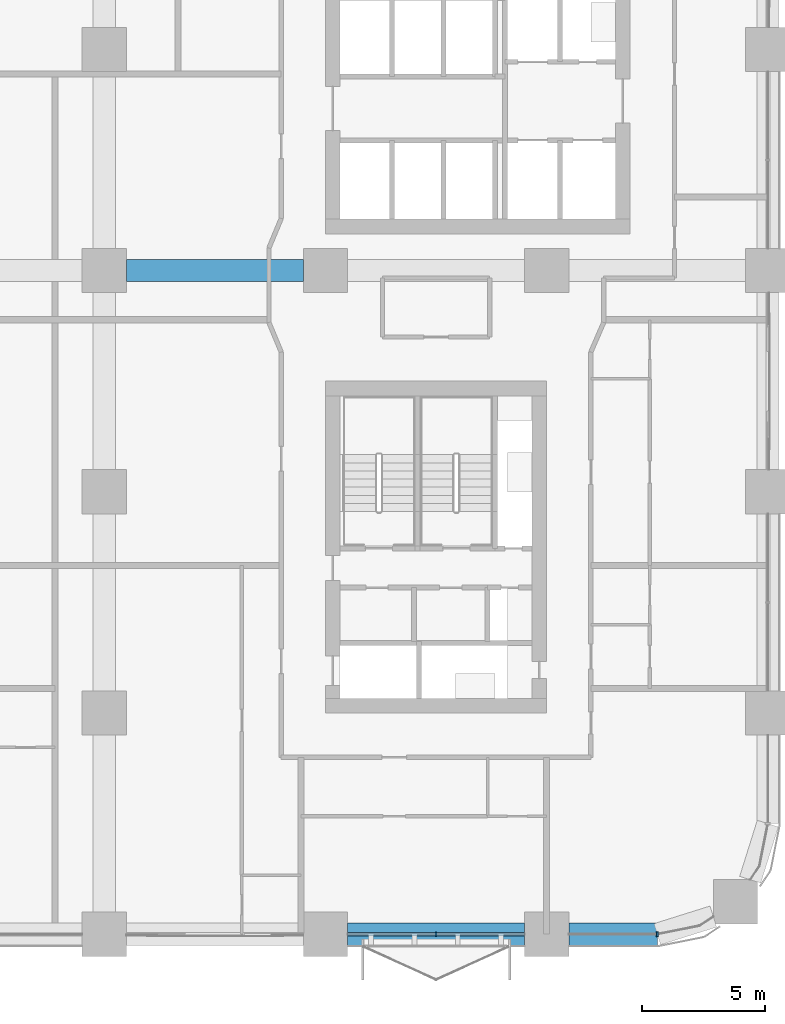
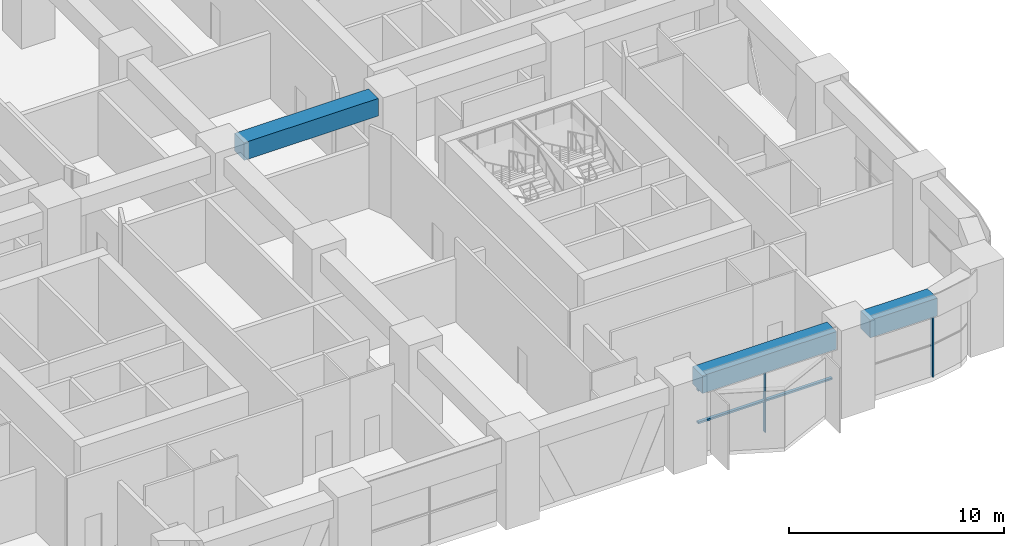
# One storey, part 5 of 26: 4 members, 3 beams, 2 elements without a shape of their own.
"""IFC4 building model written with IfcOpenShell, lengths in metres."""

from ifc_helpers import new_model, si_unit, direction, frame, origin, origin_2d, place, context, subcontext, project, spatial, rectangle, extrude, material, material_profile, profile_set, type_object, element, aggregate, save


model = new_model("IFC4")

# Units and contexts
model_context = context("Model", 3, precision=1e-05, world=origin(), true_north=direction((0.0, 1.0)))
body_context = subcontext(model_context, "Body", "Model", "MODEL_VIEW")
ifc_project = project(units=[si_unit("LENGTHUNIT", "METRE"), si_unit("AREAUNIT", "SQUARE_METRE"), si_unit("VOLUMEUNIT", "CUBIC_METRE"), si_unit("PLANEANGLEUNIT", "RADIAN"), si_unit("MASSUNIT", "GRAM", prefix="KILO")], contexts=[model_context])

# Site, building, storey
site_placement = place(None, origin())
site = spatial("IfcSite", under=ifc_project, at=site_placement, CompositionType="ELEMENT")
building_placement = place(site_placement, origin())
building = spatial("IfcBuilding", under=site, at=building_placement, Name="Tessera Arch", CompositionType="ELEMENT")
storey_placement = place(building_placement, frame((0.0, 0.0, 72.800048828125)))
storey = spatial("IfcBuildingStorey", under=building, at=storey_placement, Name="L16", CompositionType="ELEMENT", Elevation=72.800048828125)

# Curtain wall, members
ifc_material_1 = material(Name="CW1 curtain wall")
curtain_wall_type_1 = type_object("IfcCurtainWallType", Name="CW1 curtain wall", PredefinedType="NOTDEFINED", material=ifc_material_1)
curtain_wall_1_placement = place(storey_placement, origin())
curtain_wall_1 = element("IfcCurtainWall", 1, at=curtain_wall_1_placement, inside=storey, type_object=curtain_wall_type_1, Name="CW1 curtain wall S0.0/3 L16", PredefinedType="NOTDEFINED")
ifc_material_2 = material(Name="Anodised aluminium pale metal", Category="aluminium")
ifc_material_profile_1 = material_profile(ifc_material_2, rectangle(XDim=0.159912109375, YDim=0.06005859375, at=origin_2d()), Name="AL 60x160")
ifc_profile_set_1 = profile_set([ifc_material_profile_1], Name="Anodised aluminium pale metal")
member_type_1 = type_object("IfcMemberType", Name="CW1 mullion", PredefinedType="MULLION", material=ifc_profile_set_1)
member_1_placement = place(storey_placement, frame((40.5, 0.0, 0.0), z_axis=(0.0, 0.0, 1.0), x_axis=(0.0, 1.0, 0.0)))
member_1 = element("IfcMember", 2, at=member_1_placement, type_object=member_type_1, Name="CW1 mullion S0.0/3 1", PredefinedType="MULLION", context=body_context, shape_type="SweptSolid", body=[
    extrude(rectangle(XDim=0.159912109375, YDim=0.06005859375, at=origin_2d()), origin(), (0.0, 0.0, 1.0), 3.599853515625),
])
ifc_material_3 = material(Name="Anodised aluminium pale metal", Category="aluminium")
ifc_material_profile_2 = material_profile(ifc_material_3, rectangle(XDim=0.159912109375, YDim=0.10009765625, at=origin_2d()), Name="AL 160x100")
ifc_profile_set_2 = profile_set([ifc_material_profile_2], Name="Anodised aluminium pale metal")
member_type_2 = type_object("IfcMemberType", Name="CW1 transom", PredefinedType="USERDEFINED", material=ifc_profile_set_2)
member_2_placement = place(storey_placement, frame((36.89990234375, 0.0, 3.64990234375), z_axis=(1.0, 0.0, 0.0), x_axis=(0.0, 1.0, 0.0)))
member_2 = element("IfcMember", 3, at=member_2_placement, type_object=member_type_2, Name="CW1 transom S0.0/3 1.1", ObjectType="TRANSOM", PredefinedType="USERDEFINED", context=body_context, shape_type="SweptSolid", body=[
    extrude(rectangle(XDim=0.159912109375, YDim=0.10009765625, at=origin_2d()), origin(), (0.0, 0.0, 1.0), 7.2001953125),
])
member_3_placement = place(storey_placement, frame((36.89990234375, 0.0, 1.800048828125), z_axis=(1.0, 0.0, 0.0), x_axis=(0.0, 1.0, 0.0)))
member_3 = element("IfcMember", 4, at=member_3_placement, type_object=member_type_2, Name="CW1 transom S0.0/3 2.1", ObjectType="TRANSOM", PredefinedType="USERDEFINED", context=body_context, shape_type="SweptSolid", body=[
    extrude(rectangle(XDim=0.159912109375, YDim=0.10009765625, at=origin_2d()), origin(), (0.0, 0.0, 1.0), 7.2001953125),
])
aggregate(curtain_wall_1, [member_1, member_2, member_3])

# Curtain wall, member
ifc_material_4 = material(Name="CW2 curtain wall")
curtain_wall_type_2 = type_object("IfcCurtainWallType", Name="CW2 curtain wall", PredefinedType="NOTDEFINED", material=ifc_material_4)
curtain_wall_2_placement = place(storey_placement, origin())
curtain_wall_2 = element("IfcCurtainWall", 5, at=curtain_wall_2_placement, inside=storey, type_object=curtain_wall_type_2, Name="CW2 curtain wall S0.0/4 L16", PredefinedType="NOTDEFINED")
ifc_material_5 = material(Name="Anodised aluminium pale metal", Category="aluminium")
ifc_material_profile_3 = material_profile(ifc_material_5, rectangle(XDim=0.199951171875, YDim=0.080078125, at=origin_2d()), Name="AL 80x200")
ifc_profile_set_3 = profile_set([ifc_material_profile_3], Name="Anodised aluminium pale metal")
member_type_3 = type_object("IfcMemberType", Name="CW2 mullion", PredefinedType="MULLION", material=ifc_profile_set_3)
member_4_placement = place(storey_placement, frame((49.5, 0.0, 0.0), z_axis=(0.0, 0.0, 1.0), x_axis=(0.0, 1.0, 0.0)))
member_4 = element("IfcMember", 6, at=member_4_placement, type_object=member_type_3, Name="CW2 mullion S0.0/4 1", PredefinedType="MULLION", context=body_context, shape_type="SweptSolid", body=[
    extrude(rectangle(XDim=0.199951171875, YDim=0.080078125, at=origin_2d()), origin(), (0.0, 0.0, 1.0), 3.599853515625),
])
aggregate(curtain_wall_2, [member_4])

# Beams
ifc_material_6 = material(Name="Concrete C80/95", Category="concrete")
ifc_material_profile_4 = material_profile(ifc_material_6, rectangle(XDim=0.89990234375, YDim=1.0, at=origin_2d()), Name="RC spandrel beam 900 x 1000 Concrete C80/95")
ifc_profile_set_4 = profile_set([ifc_material_profile_4], Name="Concrete C80/95")
beam_type = type_object("IfcBeamType", Name="RC spandrel beam 900 x 1000 Concrete C80/95", PredefinedType="BEAM", material=ifc_profile_set_4)
beam_1_placement = place(storey_placement, frame((36.89990234375, 0.0, 4.199951171875), z_axis=(1.0, 0.0, 0.0), x_axis=(0.0, 1.0, 0.0)))
element("IfcBeam", 7, at=beam_1_placement, inside=storey, type_object=beam_type, Name="Spandrel beam L16 S0.0/3", PredefinedType="BEAM", context=body_context, shape_type="SweptSolid", body=[
    extrude(rectangle(XDim=0.89990234375, YDim=1.0, at=origin_2d()), origin(), (0.0, 0.0, 1.0), 7.2001953125),
])
beam_2_placement = place(storey_placement, frame((45.89990234375, 0.0, 4.199951171875), z_axis=(1.0, 0.0, 0.0), x_axis=(0.0, 1.0, 0.0)))
element("IfcBeam", 8, at=beam_2_placement, inside=storey, type_object=beam_type, Name="Spandrel beam L16 S0.0/4.1", PredefinedType="BEAM", context=body_context, shape_type="SweptSolid", body=[
    extrude(rectangle(XDim=0.89990234375, YDim=1.0, at=origin_2d()), origin(), (0.0, 0.0, 1.0), 3.60009765625),
])
beam_3_placement = place(storey_placement, frame((27.89990234375, 27.0, 4.199951171875), z_axis=(1.0, 0.0, 0.0), x_axis=(0.0, 1.0, 0.0)))
element("IfcBeam", 9, at=beam_3_placement, inside=storey, type_object=beam_type, Name="Interface beam L16 I1C4D-C5D", PredefinedType="BEAM", context=body_context, shape_type="SweptSolid", body=[
    extrude(rectangle(XDim=0.89990234375, YDim=1.0, at=origin_2d()), origin(), (0.0, 0.0, 1.0), 7.2001953125),
])

save(model, "model.ifc")
